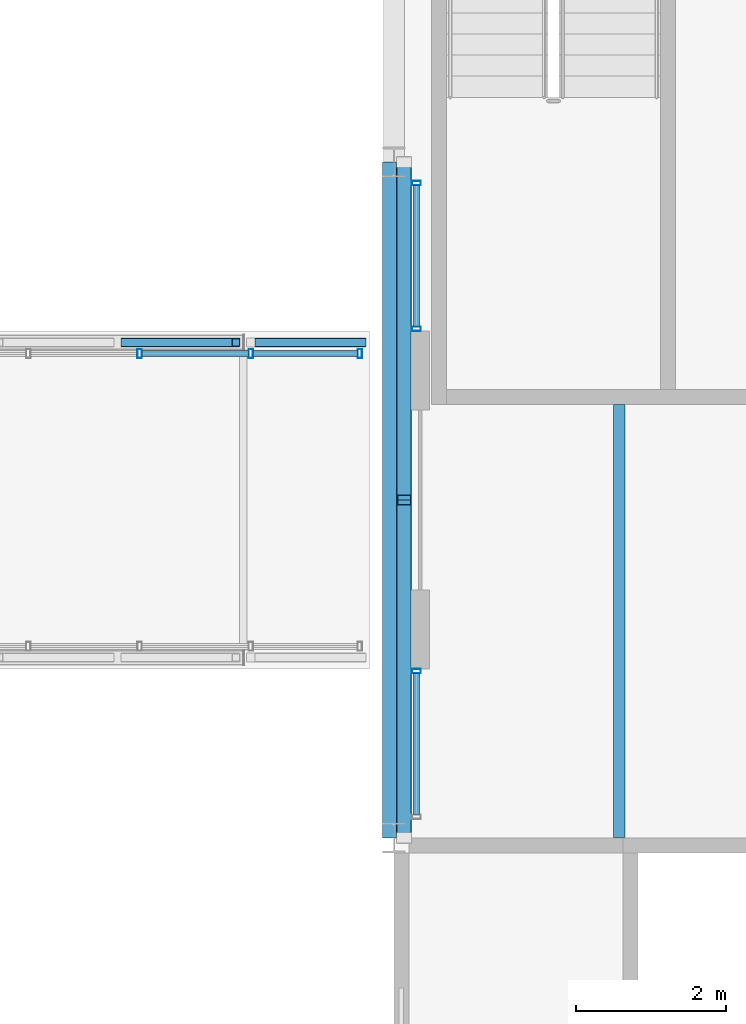
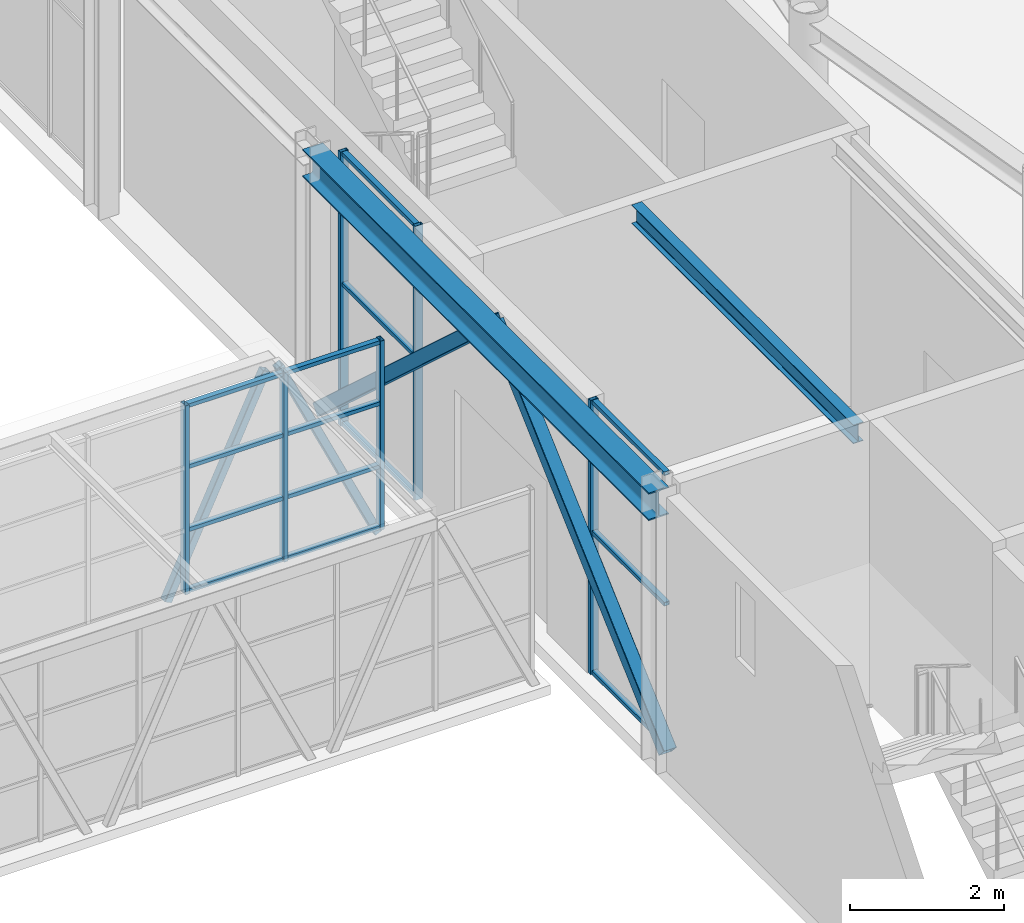
# One storey, part 39 of 149: 24 members, 2 beams, 3 elements without a shape of their own.
"""IFC4 building model written with IfcOpenShell, lengths in metres."""

from ifc_helpers import new_model, si_unit, direction, frame, origin, origin_2d, place, context, subcontext, project, spatial, hollow_rectangle, i_section, extrude, material, layer, layer_set, material_profile, profile_set, type_object, element, aggregate, save


model = new_model("IFC4")

# Units and contexts
model_context = context("Model", 3, precision=1e-05, world=origin(), true_north=direction((0.0, 1.0)))
body_context = subcontext(model_context, "Body", "Model", "MODEL_VIEW")
ifc_project = project(units=[si_unit("LENGTHUNIT", "METRE"), si_unit("AREAUNIT", "SQUARE_METRE"), si_unit("VOLUMEUNIT", "CUBIC_METRE"), si_unit("PLANEANGLEUNIT", "RADIAN"), si_unit("MASSUNIT", "GRAM", prefix="KILO")], contexts=[model_context])

# Site, building, storey
site_placement = place(None, origin())
site = spatial("IfcSite", under=ifc_project, at=site_placement, CompositionType="ELEMENT")
building_placement = place(site_placement, origin())
building = spatial("IfcBuilding", under=site, at=building_placement, Name="Kallimachos Central Library", CompositionType="ELEMENT")
storey_placement = place(building_placement, frame((0.0, 0.0, 9.89990234375)))
storey = spatial("IfcBuildingStorey", under=building, at=storey_placement, Name="L02", CompositionType="ELEMENT", Elevation=9.89990234375)

# Curtain wall, members
ifc_material_1 = material(Name="Aluminium and laminated glass", Category="aluminium")
curtain_wall_type_1 = type_object("IfcCurtainWallType", Name="Link glazed wall", PredefinedType="NOTDEFINED", material=ifc_material_1)
curtain_wall_1_placement = place(storey_placement, origin())
curtain_wall_1 = element("IfcCurtainWall", 1, at=curtain_wall_1_placement, inside=storey, type_object=curtain_wall_type_1, Name="V2 to V1 bridge glazed side", PredefinedType="NOTDEFINED")
ifc_material_2 = material(Name="Anodised aluminium", Category="aluminium")
ifc_material_profile_1 = material_profile(ifc_material_2, hollow_rectangle(XDim=0.06005859375, YDim=0.1201171875, WallThickness=0.00390625, at=origin_2d()), Name="ALU MULLION 60x120")
ifc_profile_set_1 = profile_set([ifc_material_profile_1], Name="Anodised aluminium")
member_type_1 = type_object("IfcMemberType", Name="ALU MULLION 60x120 mullion", PredefinedType="MULLION", material=ifc_profile_set_1)
member_1_placement = place(storey_placement, frame((62.111083984375, 102.449951171875, 0.0), z_axis=(0.0, 0.0, 1.0), x_axis=(1.0, 0.0, 0.0)))
member_1 = element("IfcMember", 2, at=member_1_placement, type_object=member_type_1, Name="CW73 mullion 17", PredefinedType="MULLION", context=body_context, shape_type="SweptSolid", body=[
    extrude(hollow_rectangle(XDim=0.06005859375, YDim=0.1201171875, WallThickness=0.00390625, at=origin_2d()), origin(), (0.0, 0.0, 1.0), 3.0),
])
member_2_placement = place(storey_placement, frame((63.593017578125, 102.449951171875, 0.0), z_axis=(0.0, 0.0, 1.0), x_axis=(1.0, 0.0, 0.0)))
member_2 = element("IfcMember", 3, at=member_2_placement, type_object=member_type_1, Name="CW73 mullion 18", PredefinedType="MULLION", context=body_context, shape_type="SweptSolid", body=[
    extrude(hollow_rectangle(XDim=0.06005859375, YDim=0.1201171875, WallThickness=0.00390625, at=origin_2d()), origin(), (0.0, 0.0, 1.0), 3.0),
])
member_3_placement = place(storey_placement, frame((65.044921875, 102.449951171875, 0.0), z_axis=(0.0, 0.0, 1.0), x_axis=(1.0, 0.0, 0.0)))
member_3 = element("IfcMember", 4, at=member_3_placement, type_object=member_type_1, Name="CW73 mullion 19", PredefinedType="MULLION", context=body_context, shape_type="SweptSolid", body=[
    extrude(hollow_rectangle(XDim=0.06005859375, YDim=0.1201171875, WallThickness=0.00390625, at=origin_2d()), origin(), (0.0, 0.0, 1.0), 3.0),
])
ifc_material_3 = material(Name="Anodised aluminium", Category="aluminium")
ifc_material_profile_2 = material_profile(ifc_material_3, hollow_rectangle(XDim=0.06005859375, YDim=0.080078125, WallThickness=0.00390625, at=origin_2d()), Name="ALU TRANSOM 60x80")
ifc_profile_set_2 = profile_set([ifc_material_profile_2], Name="Anodised aluminium")
member_type_2 = type_object("IfcMemberType", Name="ALU TRANSOM 60x80 transom", PredefinedType="USERDEFINED", material=ifc_profile_set_2)
member_4_placement = place(storey_placement, frame((62.14111328125, 102.449951171875, 0.030029296875), z_axis=(1.0, 0.0, 0.0), x_axis=(0.0, 0.0, 1.0)))
member_4 = element("IfcMember", 5, at=member_4_placement, type_object=member_type_2, Name="CW73 transom 17.1", ObjectType="TRANSOM", PredefinedType="USERDEFINED", context=body_context, shape_type="SweptSolid", body=[
    extrude(hollow_rectangle(XDim=0.06005859375, YDim=0.080078125, WallThickness=0.00390625, at=origin_2d()), origin(), (0.0, 0.0, 1.0), 1.421875),
])
member_5_placement = place(storey_placement, frame((62.14111328125, 102.449951171875, 1.0), z_axis=(1.0, 0.0, 0.0), x_axis=(0.0, 0.0, 1.0)))
member_5 = element("IfcMember", 6, at=member_5_placement, type_object=member_type_2, Name="CW73 transom 17.2", ObjectType="TRANSOM", PredefinedType="USERDEFINED", context=body_context, shape_type="SweptSolid", body=[
    extrude(hollow_rectangle(XDim=0.06005859375, YDim=0.080078125, WallThickness=0.00390625, at=origin_2d()), origin(), (0.0, 0.0, 1.0), 1.421875),
])
member_6_placement = place(storey_placement, frame((62.14111328125, 102.449951171875, 2.0), z_axis=(1.0, 0.0, 0.0), x_axis=(0.0, 0.0, 1.0)))
member_6 = element("IfcMember", 7, at=member_6_placement, type_object=member_type_2, Name="CW73 transom 17.3", ObjectType="TRANSOM", PredefinedType="USERDEFINED", context=body_context, shape_type="SweptSolid", body=[
    extrude(hollow_rectangle(XDim=0.06005859375, YDim=0.080078125, WallThickness=0.00390625, at=origin_2d()), origin(), (0.0, 0.0, 1.0), 1.421875),
])
member_7_placement = place(storey_placement, frame((62.14111328125, 102.449951171875, 2.97021484375), z_axis=(1.0, 0.0, 0.0), x_axis=(0.0, 0.0, 1.0)))
member_7 = element("IfcMember", 8, at=member_7_placement, type_object=member_type_2, Name="CW73 transom 17.4", ObjectType="TRANSOM", PredefinedType="USERDEFINED", context=body_context, shape_type="SweptSolid", body=[
    extrude(hollow_rectangle(XDim=0.06005859375, YDim=0.080078125, WallThickness=0.00390625, at=origin_2d()), origin(), (0.0, 0.0, 1.0), 1.421875),
])
member_8_placement = place(storey_placement, frame((63.623046875, 102.449951171875, 0.030029296875), z_axis=(1.0, 0.0, 0.0), x_axis=(0.0, 0.0, 1.0)))
member_8 = element("IfcMember", 9, at=member_8_placement, type_object=member_type_2, Name="CW73 transom 18.1", ObjectType="TRANSOM", PredefinedType="USERDEFINED", context=body_context, shape_type="SweptSolid", body=[
    extrude(hollow_rectangle(XDim=0.06005859375, YDim=0.080078125, WallThickness=0.00390625, at=origin_2d()), origin(), (0.0, 0.0, 1.0), 1.391845703125),
])
member_9_placement = place(storey_placement, frame((63.623046875, 102.449951171875, 1.0), z_axis=(1.0, 0.0, 0.0), x_axis=(0.0, 0.0, 1.0)))
member_9 = element("IfcMember", 10, at=member_9_placement, type_object=member_type_2, Name="CW73 transom 18.2", ObjectType="TRANSOM", PredefinedType="USERDEFINED", context=body_context, shape_type="SweptSolid", body=[
    extrude(hollow_rectangle(XDim=0.06005859375, YDim=0.080078125, WallThickness=0.00390625, at=origin_2d()), origin(), (0.0, 0.0, 1.0), 1.391845703125),
])
member_10_placement = place(storey_placement, frame((63.623046875, 102.449951171875, 2.0), z_axis=(1.0, 0.0, 0.0), x_axis=(0.0, 0.0, 1.0)))
member_10 = element("IfcMember", 11, at=member_10_placement, type_object=member_type_2, Name="CW73 transom 18.3", ObjectType="TRANSOM", PredefinedType="USERDEFINED", context=body_context, shape_type="SweptSolid", body=[
    extrude(hollow_rectangle(XDim=0.06005859375, YDim=0.080078125, WallThickness=0.00390625, at=origin_2d()), origin(), (0.0, 0.0, 1.0), 1.391845703125),
])
member_11_placement = place(storey_placement, frame((63.623046875, 102.449951171875, 2.97021484375), z_axis=(1.0, 0.0, 0.0), x_axis=(0.0, 0.0, 1.0)))
member_11 = element("IfcMember", 12, at=member_11_placement, type_object=member_type_2, Name="CW73 transom 18.4", ObjectType="TRANSOM", PredefinedType="USERDEFINED", context=body_context, shape_type="SweptSolid", body=[
    extrude(hollow_rectangle(XDim=0.06005859375, YDim=0.080078125, WallThickness=0.00390625, at=origin_2d()), origin(), (0.0, 0.0, 1.0), 1.391845703125),
])
aggregate(curtain_wall_1, [member_1, member_2, member_3, member_4, member_5, member_6, member_7, member_8, member_9, member_10, member_11])

# Curtain wall, member
ifc_material_4 = material(Name="Anodised aluminium and laminated glass", Category="aluminium")
ifc_layer = layer(ifc_material_4, 0.159912109375)
ifc_layer_set = layer_set([ifc_layer], Name="Glass box curtain wall")
curtain_wall_type_2 = type_object("IfcCurtainWallType", Name="Glass box curtain wall", PredefinedType="NOTDEFINED", material=ifc_layer_set)
curtain_wall_2_placement = place(storey_placement, origin())
curtain_wall_2 = element("IfcCurtainWall", 13, at=curtain_wall_2_placement, inside=storey, type_object=curtain_wall_type_2, Name="Glass box curtain wall W L02", PredefinedType="NOTDEFINED")
ifc_material_5 = material(Name="Anodised aluminium", Category="aluminium")
ifc_material_profile_3 = material_profile(ifc_material_5, hollow_rectangle(XDim=0.06005859375, YDim=0.1201171875, WallThickness=0.00390625, at=origin_2d()), Name="ALU MULLION 60x120")
ifc_profile_set_3 = profile_set([ifc_material_profile_3], Name="Anodised aluminium")
member_type_3 = type_object("IfcMemberType", Name="Glass box mullion 60x120", PredefinedType="MULLION", material=ifc_profile_set_3)
member_12_placement = place(storey_placement, frame((65.800048828125, 98.219970703125, 0.0), z_axis=(0.0, 0.0, 1.0), x_axis=(0.0, 1.0, 0.0)))
member_12 = element("IfcMember", 14, at=member_12_placement, type_object=member_type_3, Name="CW14 mullion 2", PredefinedType="MULLION", context=body_context, shape_type="SweptSolid", body=[
    extrude(hollow_rectangle(XDim=0.06005859375, YDim=0.1201171875, WallThickness=0.00390625, at=origin_2d()), origin(), (0.0, 0.0, 1.0), 4.35009765625),
])

# Curtain wall, members
curtain_wall_3_placement = place(storey_placement, origin())
curtain_wall_3 = element("IfcCurtainWall", 15, at=curtain_wall_3_placement, inside=storey, type_object=curtain_wall_type_2, Name="Glass box curtain wall W L02", PredefinedType="NOTDEFINED")
member_13_placement = place(storey_placement, frame((65.800048828125, 102.780029296875, 0.0), z_axis=(0.0, 0.0, 1.0), x_axis=(0.0, 1.0, 0.0)))
member_13 = element("IfcMember", 16, at=member_13_placement, type_object=member_type_3, Name="CW15 mullion 1", PredefinedType="MULLION", context=body_context, shape_type="SweptSolid", body=[
    extrude(hollow_rectangle(XDim=0.06005859375, YDim=0.1201171875, WallThickness=0.00390625, at=origin_2d()), origin(), (0.0, 0.0, 1.0), 4.35009765625),
])
member_14_placement = place(storey_placement, frame((65.800048828125, 104.719970703125, 0.0), z_axis=(0.0, 0.0, 1.0), x_axis=(0.0, 1.0, 0.0)))
member_14 = element("IfcMember", 17, at=member_14_placement, type_object=member_type_3, Name="CW15 mullion 2", PredefinedType="MULLION", context=body_context, shape_type="SweptSolid", body=[
    extrude(hollow_rectangle(XDim=0.06005859375, YDim=0.1201171875, WallThickness=0.00390625, at=origin_2d()), origin(), (0.0, 0.0, 1.0), 4.35009765625),
])

# Member
ifc_material_6 = material(Name="Anodised aluminium", Category="aluminium")
ifc_material_profile_4 = material_profile(ifc_material_6, hollow_rectangle(XDim=0.06005859375, YDim=0.080078125, WallThickness=0.00390625, at=origin_2d()), Name="ALU TRANSOM 60x80")
ifc_profile_set_4 = profile_set([ifc_material_profile_4], Name="Anodised aluminium")
member_type_4 = type_object("IfcMemberType", Name="Glass box transom 60x80", PredefinedType="USERDEFINED", material=ifc_profile_set_4)
member_15_placement = place(storey_placement, frame((65.800048828125, 96.31005859375, 0.030029296875), z_axis=(0.0, 1.0, 0.0), x_axis=(0.0, 0.0, 1.0)))
member_15 = element("IfcMember", 18, at=member_15_placement, type_object=member_type_4, Name="CW14 transom 1.1", ObjectType="TRANSOM", PredefinedType="USERDEFINED", context=body_context, shape_type="SweptSolid", body=[
    extrude(hollow_rectangle(XDim=0.06005859375, YDim=0.080078125, WallThickness=0.00390625, at=origin_2d()), origin(), (0.0, 0.0, 1.0), 1.8798828125),
])

member_16_placement = place(storey_placement, frame((65.800048828125, 96.31005859375, 2.25), z_axis=(0.0, 1.0, 0.0), x_axis=(0.0, 0.0, 1.0)))
member_16 = element("IfcMember", 19, at=member_16_placement, type_object=member_type_4, Name="CW14 transom 1.2", ObjectType="TRANSOM", PredefinedType="USERDEFINED", context=body_context, shape_type="SweptSolid", body=[
    extrude(hollow_rectangle(XDim=0.06005859375, YDim=0.080078125, WallThickness=0.00390625, at=origin_2d()), origin(), (0.0, 0.0, 1.0), 1.8798828125),
])

member_17_placement = place(storey_placement, frame((65.800048828125, 96.31005859375, 4.320068359375), z_axis=(0.0, 1.0, 0.0), x_axis=(0.0, 0.0, 1.0)))
member_17 = element("IfcMember", 20, at=member_17_placement, type_object=member_type_4, Name="CW14 transom 1.3", ObjectType="TRANSOM", PredefinedType="USERDEFINED", context=body_context, shape_type="SweptSolid", body=[
    extrude(hollow_rectangle(XDim=0.06005859375, YDim=0.080078125, WallThickness=0.00390625, at=origin_2d()), origin(), (0.0, 0.0, 1.0), 1.8798828125),
])

aggregate(curtain_wall_2, [member_12, member_15, member_16, member_17])

member_18_placement = place(storey_placement, frame((65.800048828125, 102.81005859375, 0.030029296875), z_axis=(0.0, 1.0, 0.0), x_axis=(0.0, 0.0, 1.0)))
member_18 = element("IfcMember", 21, at=member_18_placement, type_object=member_type_4, Name="CW15 transom 1.1", ObjectType="TRANSOM", PredefinedType="USERDEFINED", context=body_context, shape_type="SweptSolid", body=[
    extrude(hollow_rectangle(XDim=0.06005859375, YDim=0.080078125, WallThickness=0.00390625, at=origin_2d()), origin(), (0.0, 0.0, 1.0), 1.8798828125),
])

member_19_placement = place(storey_placement, frame((65.800048828125, 102.81005859375, 2.25), z_axis=(0.0, 1.0, 0.0), x_axis=(0.0, 0.0, 1.0)))
member_19 = element("IfcMember", 22, at=member_19_placement, type_object=member_type_4, Name="CW15 transom 1.2", ObjectType="TRANSOM", PredefinedType="USERDEFINED", context=body_context, shape_type="SweptSolid", body=[
    extrude(hollow_rectangle(XDim=0.06005859375, YDim=0.080078125, WallThickness=0.00390625, at=origin_2d()), origin(), (0.0, 0.0, 1.0), 1.8798828125),
])

member_20_placement = place(storey_placement, frame((65.800048828125, 102.81005859375, 4.320068359375), z_axis=(0.0, 1.0, 0.0), x_axis=(0.0, 0.0, 1.0)))
member_20 = element("IfcMember", 23, at=member_20_placement, type_object=member_type_4, Name="CW15 transom 1.3", ObjectType="TRANSOM", PredefinedType="USERDEFINED", context=body_context, shape_type="SweptSolid", body=[
    extrude(hollow_rectangle(XDim=0.06005859375, YDim=0.080078125, WallThickness=0.00390625, at=origin_2d()), origin(), (0.0, 0.0, 1.0), 1.8798828125),
])

aggregate(curtain_wall_3, [member_13, member_14, member_18, member_19, member_20])

# Beams
ifc_material_7 = material(Name="Steel S355J2", Category="steel")
ifc_material_profile_5 = material_profile(ifc_material_7, i_section(OverallWidth=0.300048828125, OverallDepth=0.43994140625, WebThickness=0.011474609375, FlangeThickness=0.02099609375, FilletRadius=0.027099609375, at=origin_2d()), Name="HEA 450")
ifc_profile_set_5 = profile_set([ifc_material_profile_5], Name="Steel S355J2")
beam_type_1 = type_object("IfcBeamType", Name="HEA 450 beam", PredefinedType="BEAM", material=ifc_profile_set_5)
beam_1_placement = place(storey_placement, frame((65.5, 96.0, 4.130126953125), z_axis=(0.0, 1.0, 0.0), x_axis=(-1.0, 0.0, 0.0)))
element("IfcBeam", 24, at=beam_1_placement, inside=storey, type_object=beam_type_1, Name="V1-BEM-L02-021", PredefinedType="BEAM", context=body_context, shape_type="SweptSolid", body=[
    extrude(i_section(OverallWidth=0.300048828125, OverallDepth=0.43994140625, WebThickness=0.011474609375, FlangeThickness=0.02099609375, FilletRadius=0.027099609375, at=origin_2d()), origin(), (0.0, 0.0, 1.0), 9.0),
])
ifc_material_8 = material(Name="Steel S355J2", Category="steel")
ifc_material_profile_6 = material_profile(ifc_material_8, i_section(OverallWidth=0.14990234375, OverallDepth=0.300048828125, WebThickness=0.007080078125, FlangeThickness=0.0107421875, FilletRadius=0.014892578125, at=origin_2d()), Name="IPE 300")
ifc_profile_set_6 = profile_set([ifc_material_profile_6], Name="Steel S355J2")
beam_type_2 = type_object("IfcBeamType", Name="IPE 300 beam", PredefinedType="BEAM", material=ifc_profile_set_6)
beam_2_placement = place(storey_placement, frame((68.5, 96.0048828125, 4.2001953125), z_axis=(0.0, 1.0, 0.0), x_axis=(-1.0, 0.0, 0.0)))
element("IfcBeam", 25, at=beam_2_placement, inside=storey, type_object=beam_type_2, Name="V1-BEM-L02-049", PredefinedType="BEAM", context=body_context, shape_type="SweptSolid", body=[
    extrude(i_section(OverallWidth=0.14990234375, OverallDepth=0.300048828125, WebThickness=0.007080078125, FlangeThickness=0.0107421875, FilletRadius=0.014892578125, at=origin_2d()), origin(), (0.0, 0.0, 1.0), 5.76513671875),
])

# Members
ifc_material_9 = material(Name="Steel S355J2H", Category="steel")
ifc_material_profile_7 = material_profile(ifc_material_9, hollow_rectangle(XDim=0.1201171875, YDim=0.1201171875, WallThickness=0.008056640625, InnerFilletRadius=0.008056640625, OuterFilletRadius=0.011962890625, at=origin_2d()), Name="SHS 120x120x8")
ifc_profile_set_7 = profile_set([ifc_material_profile_7], Name="Steel S355J2H")
member_type_5 = type_object("IfcMemberType", Name="SHS 120x120x8 web", PredefinedType="BRACE", material=ifc_profile_set_7)
for number, where, z_axis, x_axis, name in (
    (26, (61.91552734375, 102.60009765625, -0.14990234375), (0.425192201844, 0.0, 0.905103083351), (0.0, 1.0, 0.0), "links-MEM-L02-033"),
    (27, (63.59521484375, 102.60009765625, 3.0), (0.425192201844, 0.0, -0.905103083351), (0.0, 1.0, 0.0), "links-MEM-L02-034"),
):
    element("IfcMember", number, at=place(storey_placement, frame(where, z_axis=z_axis, x_axis=x_axis)), inside=storey, type_object=member_type_5, Name=name, PredefinedType="BRACE", context=body_context, shape_type="SweptSolid", body=[
        extrude(hollow_rectangle(XDim=0.1201171875, YDim=0.1201171875, WallThickness=0.008056640625, InnerFilletRadius=0.008056640625, OuterFilletRadius=0.011962890625, at=origin_2d()), origin(), (0.0, 0.0, 1.0), 3.480224609375),
    ])
ifc_material_10 = material(Name="Steel S355J2H", Category="steel")
ifc_material_profile_8 = material_profile(ifc_material_10, hollow_rectangle(XDim=0.199951171875, YDim=0.199951171875, WallThickness=0.010009765625, InnerFilletRadius=0.010009765625, OuterFilletRadius=0.014892578125, at=origin_2d()), Name="SHS 200x200x10")
ifc_profile_set_8 = profile_set([ifc_material_profile_8], Name="Steel S355J2H")
member_type_6 = type_object("IfcMemberType", Name="SHS 200x200x10 brace", PredefinedType="BRACE", material=ifc_profile_set_8)
for number, where, z_axis, x_axis, name in (
    (28, (65.635009765625, 96.0, 0.150146484375), (0.0, 0.7392083166, 0.673476847909), (-1.0, 0.0, 0.0), "Chevron brace 65.5 L02"),
    (29, (65.635009765625, 105.0, 0.150146484375), (0.0, -0.7392083166, 0.673476847909), (1.0, 0.0, 0.0), "Chevron brace 65.5 L02"),
):
    element("IfcMember", number, at=place(storey_placement, frame(where, z_axis=z_axis, x_axis=x_axis)), inside=storey, type_object=member_type_6, Name=name, PredefinedType="BRACE", context=body_context, shape_type="SweptSolid", body=[
        extrude(hollow_rectangle(XDim=0.199951171875, YDim=0.199951171875, WallThickness=0.010009765625, InnerFilletRadius=0.010009765625, OuterFilletRadius=0.014892578125, at=origin_2d()), origin(), (0.0, 0.0, 1.0), 6.087646484375),
    ])

save(model, "model.ifc")
